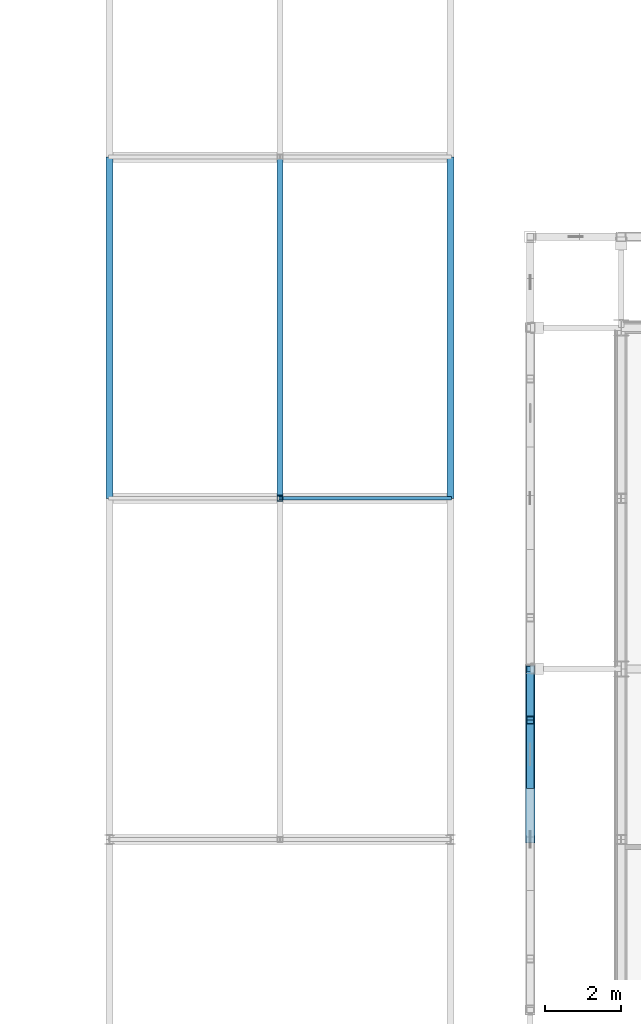
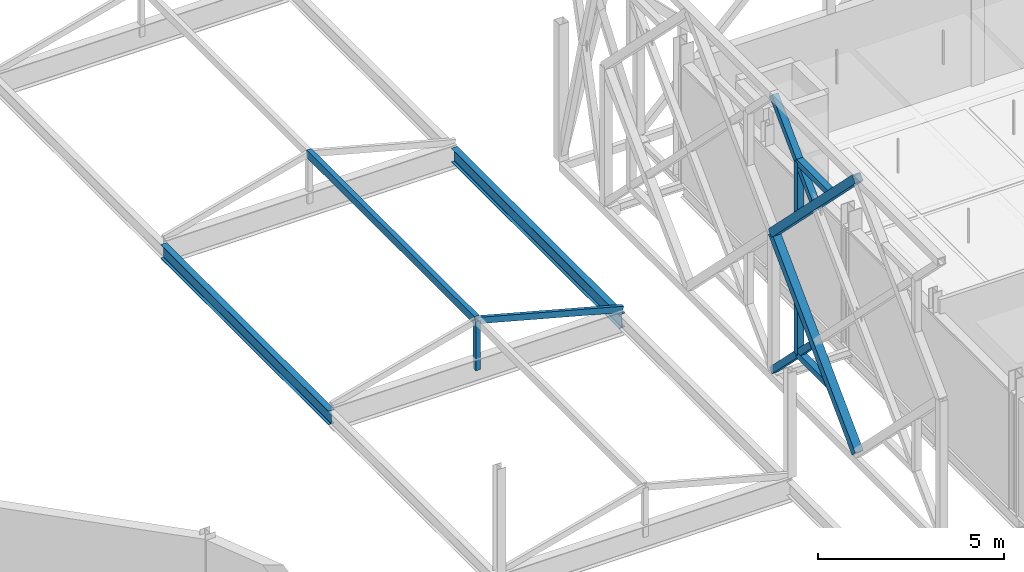
# One storey, part 26 of 140: 10 members, 3 beams.
"""IFC4 building model written with IfcOpenShell, lengths in metres."""

from ifc_helpers import new_model, si_unit, direction, frame, origin, origin_2d, place, context, subcontext, project, spatial, hollow_rectangle, i_section, extrude, material, material_profile, profile_set, type_object, element, save


model = new_model("IFC4")

# Units and contexts
model_context = context("Model", 3, precision=1e-05, world=origin(), true_north=direction((0.0, 1.0)))
body_context = subcontext(model_context, "Body", "Model", "MODEL_VIEW")
ifc_project = project(units=[si_unit("LENGTHUNIT", "METRE"), si_unit("AREAUNIT", "SQUARE_METRE"), si_unit("VOLUMEUNIT", "CUBIC_METRE"), si_unit("PLANEANGLEUNIT", "RADIAN"), si_unit("MASSUNIT", "GRAM", prefix="KILO"), si_unit("THERMODYNAMICTEMPERATUREUNIT", "KELVIN"), si_unit("POWERUNIT", "WATT")], contexts=[model_context])

# Site, building, storey
site_placement = place(None, origin())
site = spatial("IfcSite", under=ifc_project, at=site_placement, CompositionType="ELEMENT")
building_placement = place(site_placement, origin())
building = spatial("IfcBuilding", under=site, at=building_placement, Name="Tallowbark Science Centre", CompositionType="ELEMENT")
storey_placement = place(building_placement, frame((0.0, 0.0, 9.89990234375)))
storey = spatial("IfcBuildingStorey", under=building, at=storey_placement, Name="L02", CompositionType="ELEMENT", Elevation=9.89990234375)

# Members
ifc_material_1 = material(Name="Structural Steel Grade C350L0 (350 MPa)", Category="steel")
ifc_material_profile_1 = material_profile(ifc_material_1, hollow_rectangle(XDim=0.10009765625, YDim=0.199951171875, WallThickness=0.006103515625, at=origin_2d()), Name="200x100x6.0RHS")
ifc_profile_set_1 = profile_set([ifc_material_profile_1], Name="Structural Steel Grade C350L0 (350 MPa)")
member_type_1 = type_object("IfcMemberType", Name="RFT-200RHS", PredefinedType="RAFTER", material=ifc_profile_set_1)
member_1_placement = place(storey_placement, frame((49.5, 36.0, 1.205810546875), z_axis=(0.965923723713, 0.0, -0.258826891896), x_axis=(0.0, 1.0, 0.0)))
element("IfcMember", 1, at=member_1_placement, inside=storey, type_object=member_type_1, Name="Passage Skylight East Rafter 5", PredefinedType="RAFTER", context=body_context, shape_type="SweptSolid", body=[
    extrude(hollow_rectangle(XDim=0.10009765625, YDim=0.199951171875, WallThickness=0.006103515625, at=origin_2d()), origin(), (0.0, 0.0, 1.0), 4.65869140625),
])
ifc_material_2 = material(Name="White Architectural Painted Steel Grade C350L0 (350 MPa)", Category="steel")
ifc_material_profile_2 = material_profile(ifc_material_2, hollow_rectangle(XDim=0.25, YDim=0.25, WallThickness=0.009033203125, at=origin_2d()), Name="250x250x9.0SHS")
ifc_profile_set_2 = profile_set([ifc_material_profile_2], Name="White Architectural Painted Steel Grade C350L0 (350 MPa)")
member_type_2 = type_object("IfcMemberType", Name="SCR-CHD200", PredefinedType="CHORD", material=ifc_profile_set_2)
for number, where, z_axis, x_axis, name in (
    (2, (56.10009765625, 27.0, 0.0), (0.0, 0.707106781187, 0.707106781187), (-1.0, 0.0, 0.0), "Star Screen Octagram Diamond Chord W-32-1"),
    (3, (56.10009765625, 31.5, 4.5), (0.0, -0.707106781187, 0.707106781187), (1.0, 0.0, 0.0), "Star Screen Octagram Diamond Chord W-32-2"),
):
    element("IfcMember", number, at=place(storey_placement, frame(where, z_axis=z_axis, x_axis=x_axis)), inside=storey, type_object=member_type_2, Name=name, PredefinedType="CHORD", context=body_context, shape_type="SweptSolid", body=[
        extrude(hollow_rectangle(XDim=0.25, YDim=0.25, WallThickness=0.009033203125, at=origin_2d()), origin(), (0.0, 0.0, 1.0), 6.364013671875),
    ])
ifc_material_profile_3 = material_profile(ifc_material_2, hollow_rectangle(XDim=0.199951171875, YDim=0.199951171875, WallThickness=0.009033203125, at=origin_2d()), Name="200x200x9.0SHS")
ifc_profile_set_3 = profile_set([ifc_material_profile_3], Name="White Architectural Painted Steel Grade C350L0 (350 MPa)")
member_type_3 = type_object("IfcMemberType", Name="SCR-STAR139", PredefinedType="BRACE", material=ifc_profile_set_3)
for number, where, z_axis, x_axis, name in (
    (4, (56.10009765625, 29.25, 6.75), (0.0, 0.707106781187, 0.707106781187), (-1.0, 0.0, 0.0), "Star Screen Continuous X-Diagonal D1B W-32"),
    (5, (56.10009765625, 29.25, 2.25), (0.0, 0.707106781187, -0.707106781187), (-1.0, 0.0, 0.0), "Star Screen Split X-Diagonal D2D W-32"),
):
    element("IfcMember", number, at=place(storey_placement, frame(where, z_axis=z_axis, x_axis=x_axis)), inside=storey, type_object=member_type_3, Name=name, PredefinedType="BRACE", context=body_context, shape_type="SweptSolid", body=[
        extrude(hollow_rectangle(XDim=0.199951171875, YDim=0.199951171875, WallThickness=0.009033203125, at=origin_2d()), origin(), (0.0, 0.0, 1.0), 3.181884765625),
    ])
ifc_material_profile_4 = material_profile(ifc_material_2, hollow_rectangle(XDim=0.199951171875, YDim=0.199951171875, WallThickness=0.009033203125, at=origin_2d()), Name="200x200x9.0SHS")
ifc_profile_set_4 = profile_set([ifc_material_profile_4], Name="White Architectural Painted Steel Grade C350L0 (350 MPa)")
member_type_4 = type_object("IfcMemberType", Name="SCR-SUB150", PredefinedType="BRACE", material=ifc_profile_set_4)
member_2_placement = place(storey_placement, frame((56.10009765625, 30.14990234375, 1.35009765625), z_axis=(0.0, -1.0, 0.0), x_axis=(1.0, 0.0, 0.0)))
element("IfcMember", 6, at=member_2_placement, inside=storey, type_object=member_type_4, Name="Star Screen Octagram Point Ray W-32-3", PredefinedType="BRACE", context=body_context, shape_type="SweptSolid", body=[
    extrude(hollow_rectangle(XDim=0.199951171875, YDim=0.199951171875, WallThickness=0.009033203125, at=origin_2d()), origin(), (0.0, 0.0, 1.0), 1.7998046875),
])
member_3_placement = place(storey_placement, frame((56.10009765625, 30.14990234375, 1.35009765625), z_axis=(0.0, 0.0, 1.0), x_axis=(1.0, 0.0, 0.0)))
element("IfcMember", 7, at=member_3_placement, inside=storey, type_object=member_type_4, Name="Star Screen Octagram Point Ray W-32-4", PredefinedType="BRACE", context=body_context, shape_type="SweptSolid", body=[
    extrude(hollow_rectangle(XDim=0.199951171875, YDim=0.199951171875, WallThickness=0.009033203125, at=origin_2d()), origin(), (0.0, 0.0, 1.0), 1.800048828125),
])
member_4_placement = place(storey_placement, frame((56.10009765625, 30.14990234375, 7.650146484375), z_axis=(0.0, -1.0, 0.0), x_axis=(1.0, 0.0, 0.0)))
element("IfcMember", 8, at=member_4_placement, inside=storey, type_object=member_type_4, Name="Star Screen Octagram Point Ray W-32-5", PredefinedType="BRACE", context=body_context, shape_type="SweptSolid", body=[
    extrude(hollow_rectangle(XDim=0.199951171875, YDim=0.199951171875, WallThickness=0.009033203125, at=origin_2d()), origin(), (0.0, 0.0, 1.0), 1.7998046875),
])
member_5_placement = place(storey_placement, frame((56.10009765625, 30.14990234375, 7.650146484375), z_axis=(0.0, 0.0, -1.0), x_axis=(1.0, 0.0, 0.0)))
element("IfcMember", 9, at=member_5_placement, inside=storey, type_object=member_type_4, Name="Star Screen Octagram Point Ray W-32-6", PredefinedType="BRACE", context=body_context, shape_type="SweptSolid", body=[
    extrude(hollow_rectangle(XDim=0.199951171875, YDim=0.199951171875, WallThickness=0.009033203125, at=origin_2d()), origin(), (0.0, 0.0, 1.0), 1.800048828125),
])

# Beams
ifc_material_profile_5 = material_profile(ifc_material_2, hollow_rectangle(XDim=0.14990234375, YDim=0.25, WallThickness=0.009033203125, at=origin_2d()), Name="250x150x9.0RHS")
ifc_profile_set_5 = profile_set([ifc_material_profile_5], Name="White Architectural Painted Steel Grade C350L0 (350 MPa)")
beam_type_1 = type_object("IfcBeamType", Name="SPN-RHS250", PredefinedType="SPANDREL", material=ifc_profile_set_5)
beam_placement = place(storey_placement, frame((49.5, 36.0, 1.205810546875), z_axis=(0.0, 1.0, 0.0), x_axis=(-1.0, 0.0, 0.0)))
element("IfcBeam", 10, at=beam_placement, inside=storey, type_object=beam_type_1, Name="Passage Skylight Ridge Beam 5", PredefinedType="SPANDREL", context=body_context, shape_type="SweptSolid", body=[
    extrude(hollow_rectangle(XDim=0.14990234375, YDim=0.25, WallThickness=0.009033203125, at=origin_2d()), origin(), (0.0, 0.0, 1.0), 9.0),
])
ifc_material_3 = material(Name="Structural Steel Grade 300PLUS (300 MPa)", Category="steel")
ifc_material_profile_6 = material_profile(ifc_material_3, i_section(OverallWidth=0.18994140625, OverallDepth=0.453857421875, WebThickness=0.008544921875, FlangeThickness=0.0126953125, FilletRadius=0.011474609375, at=origin_2d()), Name="460UB67.1")
ifc_profile_set_6 = profile_set([ifc_material_profile_6], Name="Structural Steel Grade 300PLUS (300 MPa)")
beam_type_2 = type_object("IfcBeamType", Name="SPN-UB460", PredefinedType="SPANDREL", material=ifc_profile_set_6)
for number, where, z_axis, x_axis, name in (
    (11, (45.0, 36.0, -0.40673828125), (0.0, 1.0, 0.0), (-1.0, 0.0, 0.0), "Primary Girder GRDY-L02-450-360-450"),
    (12, (54.0, 36.0, -0.40673828125), (0.0, 1.0, 0.0), (-1.0, 0.0, 0.0), "Primary Girder GRDY-L02-540-360-450"),
):
    element("IfcBeam", number, at=place(storey_placement, frame(where, z_axis=z_axis, x_axis=x_axis)), inside=storey, type_object=beam_type_2, Name=name, PredefinedType="SPANDREL", context=body_context, shape_type="SweptSolid", body=[
        extrude(i_section(OverallWidth=0.18994140625, OverallDepth=0.453857421875, WebThickness=0.008544921875, FlangeThickness=0.0126953125, FilletRadius=0.011474609375, at=origin_2d()), origin(), (0.0, 0.0, 1.0), 9.0),
    ])

# Member
ifc_material_profile_7 = material_profile(ifc_material_1, hollow_rectangle(XDim=0.14990234375, YDim=0.14990234375, WallThickness=0.006103515625, at=origin_2d()), Name="150x150x6.0SHS")
ifc_profile_set_7 = profile_set([ifc_material_profile_7], Name="Structural Steel Grade C350L0 (350 MPa)")
member_type_5 = type_object("IfcMemberType", Name="STR-PAS-KP", PredefinedType="POST", material=ifc_profile_set_7)
member_6_placement = place(storey_placement, frame((49.5, 36.0, -0.39990234375), z_axis=(0.0, 0.0, 1.0), x_axis=(1.0, 0.0, 0.0)))
element("IfcMember", 13, at=member_6_placement, inside=storey, type_object=member_type_5, Name="Passage Skylight Truss King Post 5", PredefinedType="POST", context=body_context, shape_type="SweptSolid", body=[
    extrude(hollow_rectangle(XDim=0.14990234375, YDim=0.14990234375, WallThickness=0.006103515625, at=origin_2d()), origin(), (0.0, 0.0, 1.0), 1.605712890625),
])

save(model, "model.ifc")
